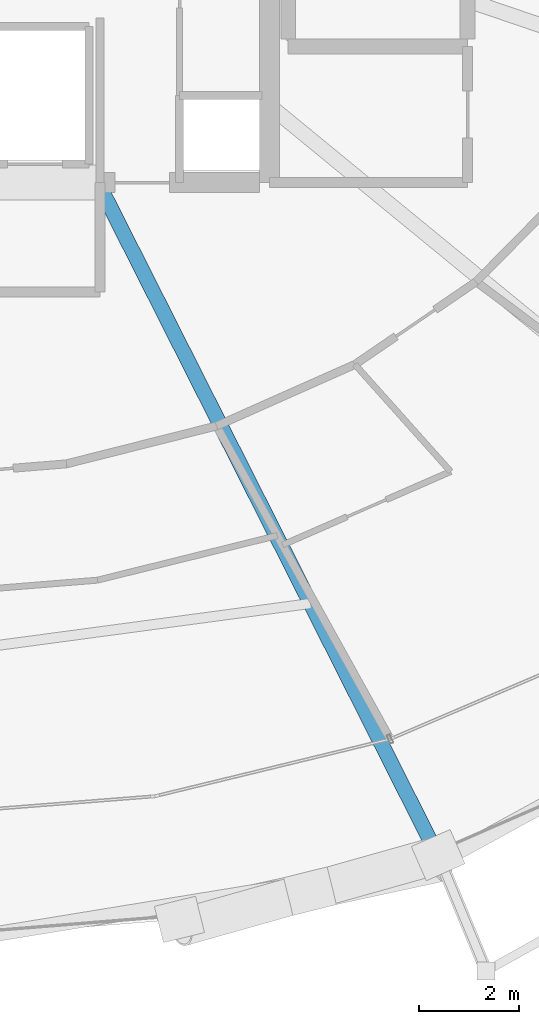
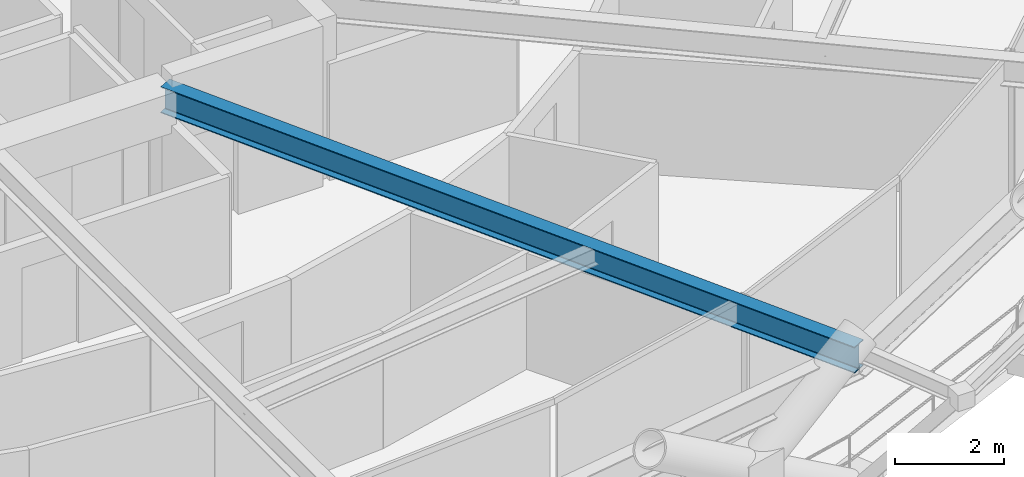
# One storey, part 7 of 19: 1 beam.
"""IFC4 building model written with IfcOpenShell, lengths in metres."""

from ifc_helpers import new_model, si_unit, direction, frame, origin, origin_2d, place, context, subcontext, project, spatial, i_section, extrude, material, material_profile, profile_set, type_object, element, save


model = new_model("IFC4")

# Units and contexts
model_context = context("Model", 3, precision=1e-05, world=origin(), true_north=direction((0.0, 1.0)))
body_context = subcontext(model_context, "Body", "Model", "MODEL_VIEW")
ifc_project = project(units=[si_unit("LENGTHUNIT", "METRE"), si_unit("AREAUNIT", "SQUARE_METRE"), si_unit("VOLUMEUNIT", "CUBIC_METRE"), si_unit("PLANEANGLEUNIT", "RADIAN"), si_unit("MASSUNIT", "GRAM", prefix="KILO")], contexts=[model_context])

# Site, building, storey
site_placement = place(None, origin())
site = spatial("IfcSite", under=ifc_project, at=site_placement, CompositionType="ELEMENT")
building_placement = place(site_placement, origin())
building = spatial("IfcBuilding", under=site, at=building_placement, Name="Veldorina Hangang Commons", CompositionType="ELEMENT")
storey_placement = place(building_placement, frame((0.0, 0.0, 34.0)))
storey = spatial("IfcBuildingStorey", under=building, at=storey_placement, Name="L07", CompositionType="ELEMENT", Elevation=34.0)

# Beam
ifc_material = material(Name="Steel SM460-TMC", Category="steel")
ifc_material_profile = material_profile(ifc_material, i_section(OverallWidth=0.300048828125, OverallDepth=0.587890625, WebThickness=0.011962890625, FlangeThickness=0.02001953125, FilletRadius=0.01806640625, at=origin_2d()), Name="H-588x300x12x20")
ifc_profile_set = profile_set([ifc_material_profile], Name="Steel SM460-TMC")
beam_type = type_object("IfcBeamType", Name="BM-FG588", PredefinedType="BEAM", material=ifc_profile_set)
beam_placement = place(storey_placement, frame((35.762451171875, 16.550048828125, 3.0458984375), z_axis=(0.450794213183, -0.892627905322, 0.0), x_axis=(0.892627905322, 0.450794213183, 0.0)))
element("IfcBeam", 1, at=beam_placement, inside=storey, type_object=beam_type, Name="L07 radial floor girder 14", PredefinedType="BEAM", context=body_context, shape_type="SweptSolid", body=[
    extrude(i_section(OverallWidth=0.300048828125, OverallDepth=0.587890625, WebThickness=0.011962890625, FlangeThickness=0.02001953125, FilletRadius=0.01806640625, at=origin_2d()), origin(), (0.0, 0.0, 1.0), 15.2578125),
])

save(model, "model.ifc")
